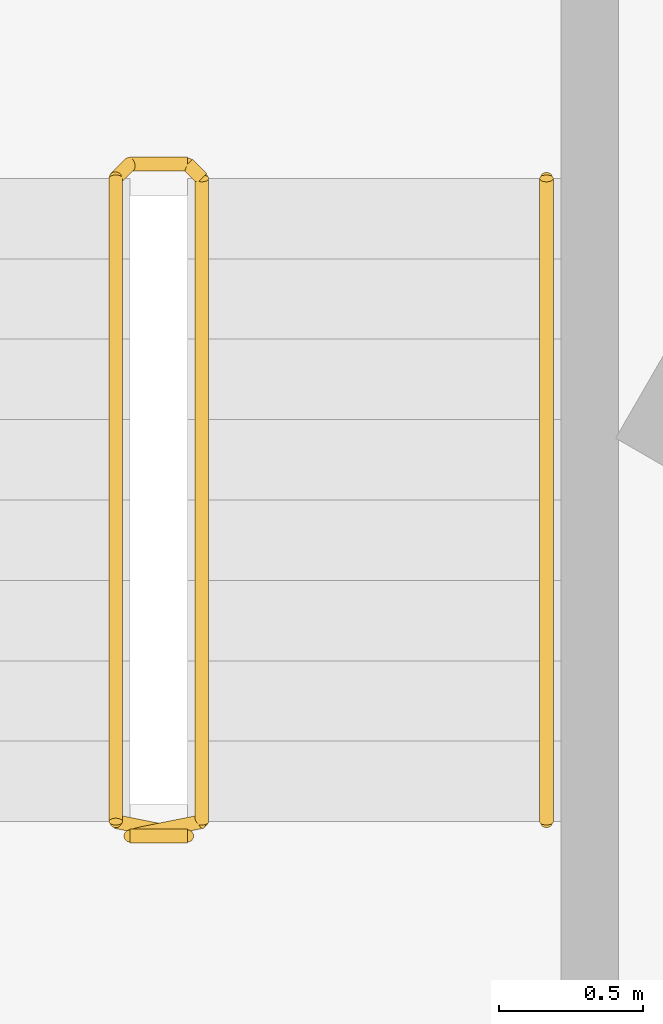
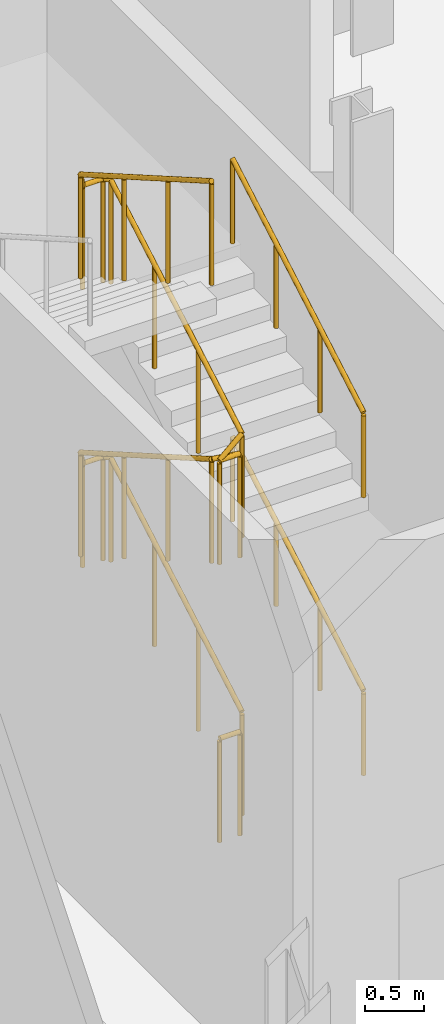
# One storey, part 20 of 24: 4 railings.
"""IFC4 building model written with IfcOpenShell, lengths in metres."""

from ifc_helpers import new_model, si_unit, direction, frame, origin, origin_2d, place, context, subcontext, project, spatial, circle, extrude, material, type_object, element, save


model = new_model("IFC4")

# Units and contexts
model_context = context("Model", 3, precision=1e-05, world=origin(), true_north=direction((0.0, 1.0)))
body_context = subcontext(model_context, "Body", "Model", "MODEL_VIEW")
ifc_project = project(units=[si_unit("LENGTHUNIT", "METRE"), si_unit("AREAUNIT", "SQUARE_METRE"), si_unit("VOLUMEUNIT", "CUBIC_METRE"), si_unit("PLANEANGLEUNIT", "RADIAN"), si_unit("MASSUNIT", "GRAM", prefix="KILO")], contexts=[model_context])

# Site, building, storey
site_placement = place(None, origin())
site = spatial("IfcSite", under=ifc_project, at=site_placement, CompositionType="ELEMENT")
building_placement = place(site_placement, origin())
building = spatial("IfcBuilding", under=site, at=building_placement, Name="Verrane Prism Tower", CompositionType="ELEMENT")
storey_placement = place(building_placement, frame((0.0, 0.0, 200.60009765625)))
storey = spatial("IfcBuildingStorey", under=building, at=storey_placement, Name="L50", CompositionType="ELEMENT", Elevation=200.60009765625)

# Railings
ifc_material_1 = material(Name="Steel A36 rail and posts, no infill", Category="steel")
railing_type_1 = type_object("IfcRailingType", Name="Stair guard 1100 steel rail and posts", PredefinedType="GUARDRAIL", material=ifc_material_1)
railing_1_placement = place(storey_placement, frame((0.14990234375, -13.699951171875, 0.1611328125)))
element("IfcRailing", 1, at=railing_1_placement, inside=storey, type_object=railing_type_1, Name="Stair 3 guard", PredefinedType="GUARDRAIL", context=body_context, shape_type="SweptSolid", body=[
    extrude(circle(Radius=0.02392578125, at=origin_2d()), frame((0.0, 0.0, 1.076171875), z_axis=(0.0, 0.866768490956, 0.498710720845), x_axis=(-1.0, 0.0, 0.0)), (0.0, 0.0, 1.0), 2.584228515625),
    extrude(circle(Radius=0.02392578125, at=origin_2d()), frame((0.0, 2.239990234375, 2.36474609375), z_axis=(-0.705375805398, 0.708833529934, 0.0), x_axis=(-0.708833529934, -0.705375805398, 0.0)), (0.0, 0.0, 1.0), 0.070556640625),
    extrude(circle(Radius=0.02392578125, at=origin_2d()), frame((-0.0498046875, 2.2900390625, 2.36474609375), z_axis=(-1.0, 0.0, 0.0), x_axis=(0.0, -1.0, 0.0)), (0.0, 0.0, 1.0), 0.2001953125),
    extrude(circle(Radius=0.02392578125, at=origin_2d()), frame((-0.25, 2.2900390625, 2.36474609375), z_axis=(-0.283103786845, -0.284491550506, 0.915924016262), x_axis=(0.708833529934, -0.705375805398, 0.0)), (0.0, 0.0, 1.0), 0.176025390625),
    extrude(circle(Radius=0.02392578125, at=origin_2d()), frame((-0.2998046875, 2.239990234375, 2.52587890625), z_axis=(0.0, -0.866768490956, 0.498710720845), x_axis=(1.0, 0.0, 0.0)), (0.0, 0.0, 1.0), 2.584228515625),
    extrude(circle(Radius=0.02392578125, at=origin_2d()), frame((-0.2998046875, 0.0, 3.81494140625), z_axis=(0.98054382908, -0.196300278283, 0.0), x_axis=(0.196300278283, 0.98054382908, 0.0)), (0.0, 0.0, 1.0), 0.2548828125),
    extrude(circle(Radius=0.02392578125, at=origin_2d()), frame((-0.0498046875, -0.050048828125, 3.81494140625), z_axis=(-1.0, 0.0, 0.0), x_axis=(0.0, -1.0, 0.0)), (0.0, 0.0, 1.0), 0.2001953125),
    extrude(circle(Radius=0.02392578125, at=origin_2d()), frame((-0.25, -0.050048828125, 3.81494140625), z_axis=(0.828884636029, 0.165938818736, 0.534242050565), x_axis=(-0.196300278283, 0.98054382908, 0.0)), (0.0, 0.0, 1.0), 0.301513671875),
    extrude(circle(Radius=0.02392578125, at=origin_2d()), frame((0.0, 0.0, 3.97607421875), z_axis=(0.0, 0.866768490956, 0.498710720845), x_axis=(-1.0, 0.0, 0.0)), (0.0, 0.0, 1.0), 2.584228515625),
    extrude(circle(Radius=0.02392578125, at=origin_2d()), frame((0.0, 2.239990234375, 5.2646484375), z_axis=(-0.705375805398, 0.708833529934, 0.0), x_axis=(-0.708833529934, -0.705375805398, 0.0)), (0.0, 0.0, 1.0), 0.070556640625),
    extrude(circle(Radius=0.02392578125, at=origin_2d()), frame((-0.0498046875, 2.2900390625, 5.2646484375), z_axis=(-1.0, 0.0, 0.0), x_axis=(0.0, -1.0, 0.0)), (0.0, 0.0, 1.0), 0.2001953125),
    extrude(circle(Radius=0.02392578125, at=origin_2d()), frame((-0.25, 2.2900390625, 5.2646484375), z_axis=(-0.283103786845, -0.284491550506, 0.915924016262), x_axis=(0.708833529934, -0.705375805398, 0.0)), (0.0, 0.0, 1.0), 0.176025390625),
    extrude(circle(Radius=0.02392578125, at=origin_2d()), frame((-0.2998046875, 2.239990234375, 5.42578125), z_axis=(0.0, -0.866768490956, 0.498710720845), x_axis=(1.0, 0.0, 0.0)), (0.0, 0.0, 1.0), 2.584228515625),
    extrude(circle(Radius=0.02099609375, at=origin_2d()), origin(), (0.0, 0.0, 1.0), 1.052001953125),
    extrude(circle(Radius=0.02099609375, at=origin_2d()), frame((0.0, 0.74658203125, 0.4296875)), (0.0, 0.0, 1.0), 1.052001953125),
    extrude(circle(Radius=0.02099609375, at=origin_2d()), frame((0.0, 1.493408203125, 0.859130859375)), (0.0, 0.0, 1.0), 1.052001953125),
    extrude(circle(Radius=0.02099609375, at=origin_2d()), frame((0.0, 2.239990234375, 1.288818359375)), (0.0, 0.0, 1.0), 1.052001953125),
    extrude(circle(Radius=0.02099609375, at=origin_2d()), frame((-0.0498046875, 2.2900390625, 1.288818359375)), (0.0, 0.0, 1.0), 1.052001953125),
    extrude(circle(Radius=0.02099609375, at=origin_2d()), frame((-0.25, 2.2900390625, 1.288818359375)), (0.0, 0.0, 1.0), 1.052001953125),
    extrude(circle(Radius=0.02099609375, at=origin_2d()), frame((-0.2998046875, 2.239990234375, 1.449951171875)), (0.0, 0.0, 1.0), 1.052001953125),
    extrude(circle(Radius=0.02099609375, at=origin_2d()), frame((-0.2998046875, 1.493408203125, 1.879638671875)), (0.0, 0.0, 1.0), 1.052001953125),
    extrude(circle(Radius=0.02099609375, at=origin_2d()), frame((-0.2998046875, 0.74658203125, 2.30908203125)), (0.0, 0.0, 1.0), 1.052001953125),
    extrude(circle(Radius=0.02099609375, at=origin_2d()), frame((-0.2998046875, 0.0, 2.73876953125)), (0.0, 0.0, 1.0), 1.052001953125),
    extrude(circle(Radius=0.02099609375, at=origin_2d()), frame((-0.0498046875, -0.050048828125, 2.73876953125)), (0.0, 0.0, 1.0), 1.052001953125),
    extrude(circle(Radius=0.02099609375, at=origin_2d()), frame((-0.25, -0.050048828125, 2.73876953125)), (0.0, 0.0, 1.0), 1.052001953125),
    extrude(circle(Radius=0.02099609375, at=origin_2d()), frame((0.0, 0.0, 2.89990234375)), (0.0, 0.0, 1.0), 1.052001953125),
    extrude(circle(Radius=0.02099609375, at=origin_2d()), frame((0.0, 0.74658203125, 3.32958984375)), (0.0, 0.0, 1.0), 1.052001953125),
    extrude(circle(Radius=0.02099609375, at=origin_2d()), frame((0.0, 1.493408203125, 3.759033203125)), (0.0, 0.0, 1.0), 1.052001953125),
    extrude(circle(Radius=0.02099609375, at=origin_2d()), frame((0.0, 2.239990234375, 4.188720703125)), (0.0, 0.0, 1.0), 1.052001953125),
    extrude(circle(Radius=0.02099609375, at=origin_2d()), frame((-0.0498046875, 2.2900390625, 4.188720703125)), (0.0, 0.0, 1.0), 1.052001953125),
    extrude(circle(Radius=0.02099609375, at=origin_2d()), frame((-0.25, 2.2900390625, 4.188720703125)), (0.0, 0.0, 1.0), 1.052001953125),
    extrude(circle(Radius=0.02099609375, at=origin_2d()), frame((-0.2998046875, 2.239990234375, 4.349853515625)), (0.0, 0.0, 1.0), 1.052001953125),
    extrude(circle(Radius=0.02099609375, at=origin_2d()), frame((-0.2998046875, 1.493408203125, 4.779541015625)), (0.0, 0.0, 1.0), 1.052001953125),
    extrude(circle(Radius=0.02099609375, at=origin_2d()), frame((-0.2998046875, 0.74658203125, 5.208984375)), (0.0, 0.0, 1.0), 1.052001953125),
    extrude(circle(Radius=0.02099609375, at=origin_2d()), frame((-0.2998046875, 0.0, 5.638671875)), (0.0, 0.0, 1.0), 1.052001953125),
])
railing_2_placement = place(storey_placement, frame((0.10009765625, -13.75, 0.0)))
element("IfcRailing", 2, at=railing_2_placement, inside=storey, type_object=railing_type_1, Name="Stair 3 guard", PredefinedType="GUARDRAIL", context=body_context, shape_type="SweptSolid", body=[
    extrude(circle(Radius=0.02392578125, at=origin_2d()), frame((0.0, 0.0, 1.076171875), z_axis=(-1.0, 0.0, 0.0), x_axis=(0.0, -1.0, 0.0)), (0.0, 0.0, 1.0), 0.2001953125),
    extrude(circle(Radius=0.02099609375, at=origin_2d()), origin(), (0.0, 0.0, 1.0), 1.052001953125),
    extrude(circle(Radius=0.02099609375, at=origin_2d()), frame((-0.2001953125, 0.0, 0.0)), (0.0, 0.0, 1.0), 1.052001953125),
])
ifc_material_2 = material(Name="Steel A36 tube", Category="steel")
railing_type_2 = type_object("IfcRailingType", Name="Stair handrail 900 steel tube", PredefinedType="HANDRAIL", material=ifc_material_2)
for number, where, name in (
    (3, (1.35009765625, -13.699951171875, 0.1611328125), "Stair 3 handrail"),
    (4, (1.35009765625, -13.699951171875, 3.06103515625), "Stair 3 handrail"),
):
    element("IfcRailing", number, at=place(storey_placement, frame(where)), inside=storey, type_object=railing_type_2, Name=name, PredefinedType="HANDRAIL", context=body_context, shape_type="SweptSolid", body=[
        extrude(circle(Radius=0.02392578125, at=origin_2d()), frame((0.0, 0.0, 0.8759765625), z_axis=(0.0, 0.866768490956, 0.498710720845), x_axis=(-1.0, 0.0, 0.0)), (0.0, 0.0, 1.0), 2.584228515625),
        extrude(circle(Radius=0.02099609375, at=origin_2d()), origin(), (0.0, 0.0, 1.0), 0.851806640625),
        extrude(circle(Radius=0.02099609375, at=origin_2d()), frame((0.0, 0.74658203125, 0.4296875)), (0.0, 0.0, 1.0), 0.851806640625),
        extrude(circle(Radius=0.02099609375, at=origin_2d()), frame((0.0, 1.493408203125, 0.859130859375)), (0.0, 0.0, 1.0), 0.851806640625),
        extrude(circle(Radius=0.02099609375, at=origin_2d()), frame((0.0, 2.239990234375, 1.288818359375)), (0.0, 0.0, 1.0), 0.851806640625),
    ])

save(model, "model.ifc")
